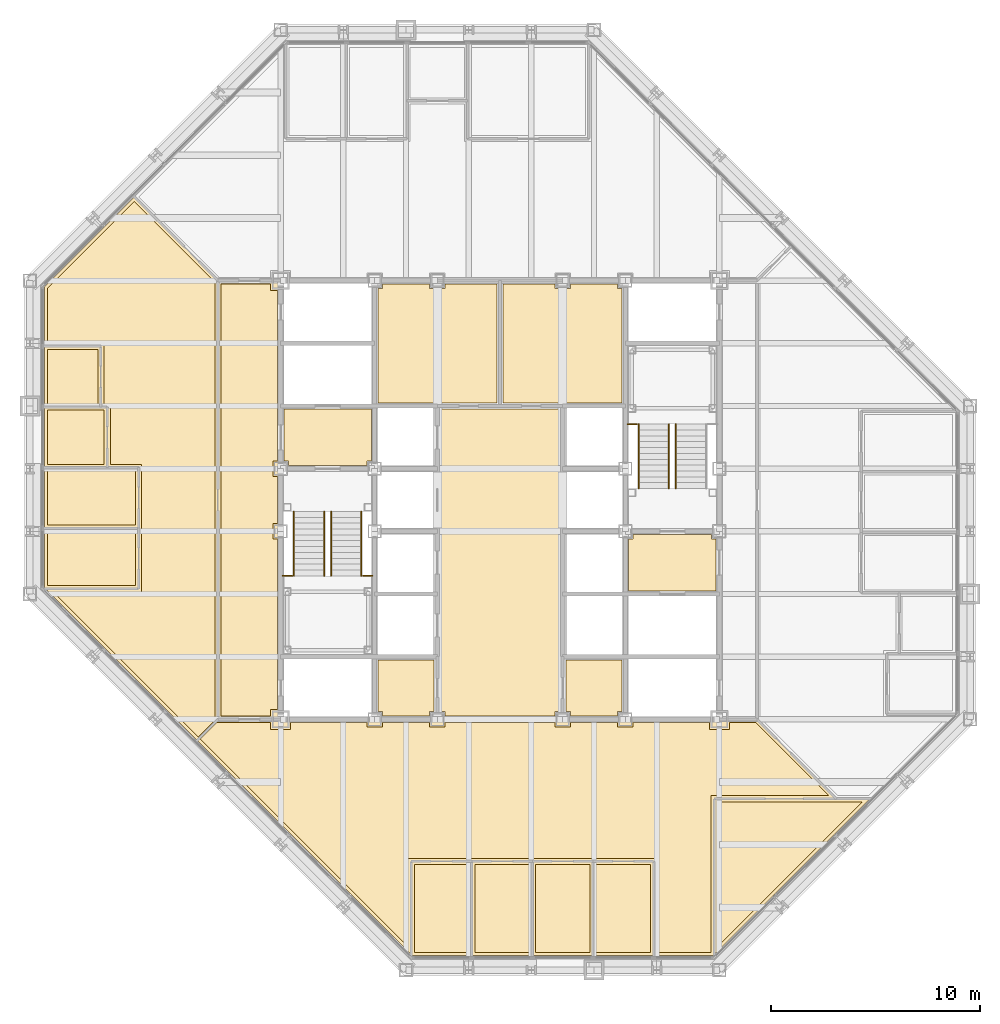
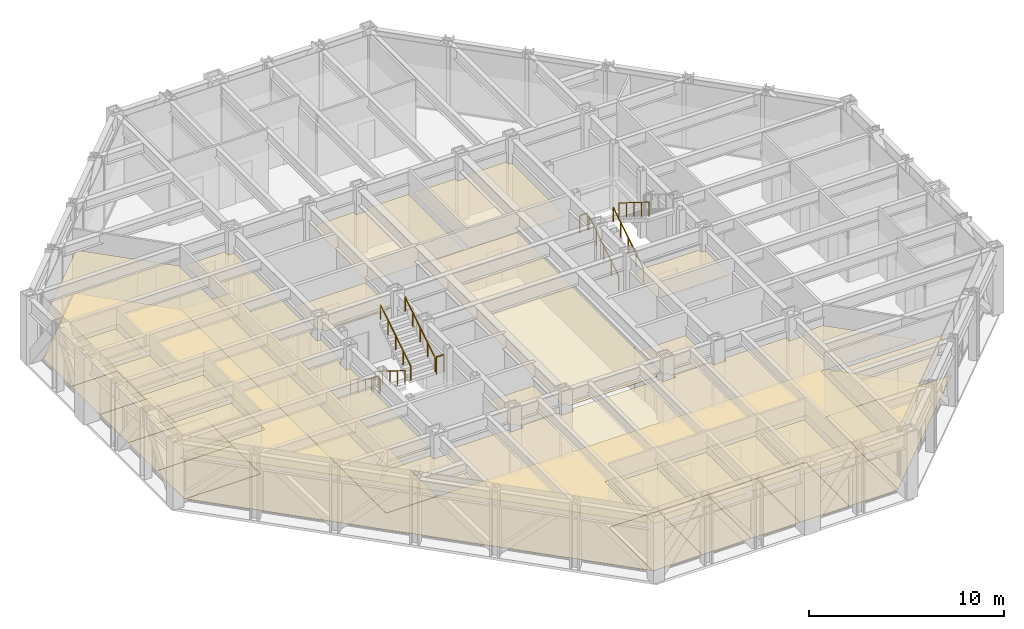
# One storey, part 14 of 15: 30 coverings, 10 railings.
"""IFC4 building model written with IfcOpenShell, lengths in metres."""

from ifc_helpers import new_model, si_unit, direction, frame, origin, origin_2d, place, context, subcontext, project, spatial, polyline, circle, outline, extrude, material, layer, layer_set, type_object, element, save


model = new_model("IFC4")

# Units and contexts
model_context = context("Model", 3, precision=1e-05, world=origin(), true_north=direction((0.0, 1.0)))
body_context = subcontext(model_context, "Body", "Model", "MODEL_VIEW")
ifc_project = project(units=[si_unit("LENGTHUNIT", "METRE"), si_unit("AREAUNIT", "SQUARE_METRE"), si_unit("VOLUMEUNIT", "CUBIC_METRE"), si_unit("PLANEANGLEUNIT", "RADIAN"), si_unit("MASSUNIT", "GRAM", prefix="KILO")], contexts=[model_context])

# Site, building, storey
site_placement = place(None, origin())
site = spatial("IfcSite", under=ifc_project, at=site_placement, CompositionType="ELEMENT")
building_placement = place(site_placement, origin())
building = spatial("IfcBuilding", under=site, at=building_placement, Name="Chuquiago Exchange Tower", CompositionType="ELEMENT")
storey_placement = place(building_placement, frame((0.0, 0.0, 188.699951171875)))
storey = spatial("IfcBuildingStorey", under=building, at=storey_placement, Name="L41", CompositionType="ELEMENT", Elevation=188.699951171875)

# Coverings
ifc_material_1 = material(Name="Mineral fibre tile, 600 x 600, on pale metal grid", Category="mineral fibre")
ifc_layer_1 = layer(ifc_material_1, 0.02001953125)
ifc_layer_set_1 = layer_set([ifc_layer_1], Name="CL1 suspended tile ceiling 20")
covering_type_1 = type_object("IfcCoveringType", Name="CL1 suspended tile ceiling 20", PredefinedType="CEILING", material=ifc_layer_set_1)
covering_1_placement = place(storey_placement, frame((0.0, 0.0, 2.800048828125)))
element("IfcCovering", 1, at=covering_1_placement, inside=storey, type_object=covering_type_1, Name="Ceiling Office", PredefinedType="CEILING", context=body_context, shape_type="SweptSolid", body=[
    extrude(outline(polyline([(18.3984375, 5.050048828125), (20.9990234375, 5.050048828125), (20.9990234375, 0.85009765625), (18.3984375, 0.85009765625), (18.3984375, 5.050048828125)])), origin(), (0.0, 0.0, 1.0), 0.02001953125),
])
covering_2_placement = place(storey_placement, frame((0.0, 0.0, 2.800048828125)))
element("IfcCovering", 2, at=covering_2_placement, inside=storey, type_object=covering_type_1, Name="Ceiling Office", PredefinedType="CEILING", context=body_context, shape_type="SweptSolid", body=[
    extrude(outline(polyline([(21.299072265625, 5.050048828125), (23.899658203125, 5.050048828125), (23.899658203125, 0.85009765625), (21.299072265625, 0.85009765625), (21.299072265625, 5.050048828125)])), origin(), (0.0, 0.0, 1.0), 0.02001953125),
])
covering_3_placement = place(storey_placement, frame((0.0, 0.0, 2.800048828125)))
element("IfcCovering", 3, at=covering_3_placement, inside=storey, type_object=covering_type_1, Name="Ceiling Office", PredefinedType="CEILING", context=body_context, shape_type="SweptSolid", body=[
    extrude(outline(polyline([(24.19970703125, 5.050048828125), (26.80029296875, 5.050048828125), (26.80029296875, 0.85009765625), (24.19970703125, 0.85009765625), (24.19970703125, 5.050048828125)])), origin(), (0.0, 0.0, 1.0), 0.02001953125),
])
covering_4_placement = place(storey_placement, frame((0.0, 0.0, 2.800048828125)))
element("IfcCovering", 4, at=covering_4_placement, inside=storey, type_object=covering_type_1, Name="Ceiling Office", PredefinedType="CEILING", context=body_context, shape_type="SweptSolid", body=[
    extrude(outline(polyline([(27.100341796875, 5.050048828125), (29.700927734375, 5.050048828125), (29.700927734375, 0.85009765625), (27.100341796875, 0.85009765625), (27.100341796875, 5.050048828125)])), origin(), (0.0, 0.0, 1.0), 0.02001953125),
])
covering_5_placement = place(storey_placement, frame((0.0, 0.0, 2.800048828125)))
element("IfcCovering", 5, at=covering_5_placement, inside=storey, type_object=covering_type_1, Name="Ceiling Boardroom", PredefinedType="CEILING", context=body_context, shape_type="SweptSolid", body=[
    extrude(outline(polyline([(32.901611328125, 8.050048828125), (39.847900390625, 8.050048828125), (32.901611328125, 1.103515625), (32.901611328125, 8.050048828125)])), origin(), (0.0, 0.0, 1.0), 0.02001953125),
])
covering_6_placement = place(storey_placement, frame((0.0, 0.0, 2.800048828125)))
element("IfcCovering", 6, at=covering_6_placement, inside=storey, type_object=covering_type_1, Name="Ceiling Office", PredefinedType="CEILING", context=body_context, shape_type="SweptSolid", body=[
    extrude(outline(polyline([(0.85009765625, 20.9990234375), (5.050048828125, 20.9990234375), (5.050048828125, 18.3984375), (0.85009765625, 18.3984375), (0.85009765625, 20.9990234375)])), origin(), (0.0, 0.0, 1.0), 0.02001953125),
])
covering_7_placement = place(storey_placement, frame((0.0, 0.0, 2.800048828125)))
element("IfcCovering", 7, at=covering_7_placement, inside=storey, type_object=covering_type_1, Name="Ceiling Office", PredefinedType="CEILING", context=body_context, shape_type="SweptSolid", body=[
    extrude(outline(polyline([(5.050048828125, 23.899658203125), (5.050048828125, 21.299072265625), (0.85009765625, 21.299072265625), (0.85009765625, 23.899658203125), (5.050048828125, 23.899658203125)])), origin(), (0.0, 0.0, 1.0), 0.02001953125),
])
covering_8_placement = place(storey_placement, frame((0.0, 0.0, 2.800048828125)))
element("IfcCovering", 8, at=covering_8_placement, inside=storey, type_object=covering_type_1, Name="Ceiling Store", PredefinedType="CEILING", context=body_context, shape_type="SweptSolid", body=[
    extrude(outline(polyline([(3.550048828125, 26.80029296875), (3.550048828125, 24.19970703125), (0.85009765625, 24.19970703125), (0.85009765625, 26.80029296875), (3.550048828125, 26.80029296875)])), origin(), (0.0, 0.0, 1.0), 0.02001953125),
])
covering_9_placement = place(storey_placement, frame((0.0, 0.0, 2.800048828125)))
element("IfcCovering", 9, at=covering_9_placement, inside=storey, type_object=covering_type_1, Name="Ceiling Focus room", PredefinedType="CEILING", context=body_context, shape_type="SweptSolid", body=[
    extrude(outline(polyline([(3.25, 29.700927734375), (3.25, 27.100341796875), (0.85009765625, 27.100341796875), (0.85009765625, 29.700927734375), (3.25, 29.700927734375)])), origin(), (0.0, 0.0, 1.0), 0.02001953125),
])
covering_10_placement = place(storey_placement, frame((0.0, 0.0, 2.800048828125)))
element("IfcCovering", 10, at=covering_10_placement, inside=storey, type_object=covering_type_1, Name="Ceiling Circulation corridor", PredefinedType="CEILING", context=body_context, shape_type="SweptSolid", body=[
    extrude(outline(polyline([(9.14990234375, 12.14990234375), (9.14990234375, 32.85009765625), (11.52490234375, 32.85009765625), (11.52490234375, 32.52490234375), (11.85009765625, 32.52490234375), (11.85009765625, 24.375), (11.625, 24.375), (11.625, 23.625), (11.85009765625, 23.625), (11.85009765625, 21.375), (11.625, 21.375), (11.625, 20.625), (11.85009765625, 20.625), (11.85009765625, 12.47509765625), (11.52490234375, 12.47509765625), (11.52490234375, 12.14990234375), (9.14990234375, 12.14990234375)])), origin(), (0.0, 0.0, 1.0), 0.02001953125),
])
covering_11_placement = place(storey_placement, frame((0.0, 0.0, 2.800048828125)))
element("IfcCovering", 11, at=covering_11_placement, inside=storey, type_object=covering_type_1, Name="Ceiling Open office south", PredefinedType="CEILING", context=body_context, shape_type="SweptSolid", body=[
    extrude(outline(polyline([(30.0009765625, 0.85009765625), (30.0009765625, 5.35009765625), (18.098388671875, 5.35009765625), (18.098388671875, 1.103515625), (8.150390625, 11.051513671875), (8.948974609375, 11.85009765625), (11.52490234375, 11.85009765625), (11.52490234375, 11.52490234375), (12.47509765625, 11.52490234375), (12.47509765625, 11.85009765625), (16.125, 11.85009765625), (16.125, 11.625), (16.875, 11.625), (16.875, 11.85009765625), (19.125, 11.85009765625), (19.125, 11.625), (19.875, 11.625), (19.875, 11.85009765625), (25.125, 11.85009765625), (25.125, 11.625), (25.875, 11.625), (25.875, 11.85009765625), (28.125, 11.85009765625), (28.125, 11.625), (28.875, 11.625), (28.875, 11.85009765625), (32.52490234375, 11.85009765625), (32.52490234375, 11.52490234375), (33.47509765625, 11.52490234375), (33.47509765625, 11.85009765625), (34.7373046875, 11.85009765625), (38.2373046875, 8.35009765625), (32.6015625, 8.35009765625), (32.6015625, 0.85009765625), (30.0009765625, 0.85009765625)])), origin(), (0.0, 0.0, 1.0), 0.02001953125),
])
covering_12_placement = place(storey_placement, frame((0.0, 0.0, 2.800048828125)))
element("IfcCovering", 12, at=covering_12_placement, inside=storey, type_object=covering_type_1, Name="Ceiling Open office south", PredefinedType="CEILING", context=body_context, shape_type="SweptSolid", body=[
    extrude(outline(polyline([(1.103515625, 18.098388671875), (5.35009765625, 18.098388671875), (5.35009765625, 24.19970703125), (3.85009765625, 24.19970703125), (3.85009765625, 27.100341796875), (3.550048828125, 27.100341796875), (3.550048828125, 30.0009765625), (0.85009765625, 30.0009765625), (0.85009765625, 32.64794921875), (4.99462890625, 36.79248046875), (8.85009765625, 32.9375), (8.85009765625, 11.948974609375), (8.051513671875, 11.150390625), (1.103515625, 18.098388671875)])), origin(), (0.0, 0.0, 1.0), 0.02001953125),
])
ifc_material_2 = material(Name="Moisture resistant plasterboard on metal frame", Category="gypsum")
ifc_layer_2 = layer(ifc_material_2, 0.014892578125)
ifc_layer_set_2 = layer_set([ifc_layer_2], Name="CL2 moisture resistant ceiling 15")
covering_type_2 = type_object("IfcCoveringType", Name="CL2 moisture resistant ceiling 15", PredefinedType="CEILING", material=ifc_layer_set_2)
covering_13_placement = place(storey_placement, frame((0.0, 0.0, 2.60009765625)))
element("IfcCovering", 13, at=covering_13_placement, inside=storey, type_object=covering_type_2, Name="Ceiling Male WC", PredefinedType="CEILING", context=body_context, shape_type="SweptSolid", body=[
    extrude(outline(polyline([(16.64990234375, 27.14990234375), (16.64990234375, 32.625), (16.875, 32.625), (16.875, 32.85009765625), (19.125, 32.85009765625), (19.125, 32.625), (19.875, 32.625), (19.875, 32.85009765625), (22.35009765625, 32.85009765625), (22.35009765625, 27.14990234375), (16.64990234375, 27.14990234375)])), origin(), (0.0, 0.0, 1.0), 0.014892578125),
])
covering_14_placement = place(storey_placement, frame((0.0, 0.0, 2.60009765625)))
element("IfcCovering", 14, at=covering_14_placement, inside=storey, type_object=covering_type_2, Name="Ceiling Female WC", PredefinedType="CEILING", context=body_context, shape_type="SweptSolid", body=[
    extrude(outline(polyline([(22.64990234375, 27.14990234375), (22.64990234375, 32.85009765625), (25.125, 32.85009765625), (25.125, 32.625), (25.875, 32.625), (25.875, 32.85009765625), (28.125, 32.85009765625), (28.125, 32.625), (28.35009765625, 32.625), (28.35009765625, 27.14990234375), (22.64990234375, 27.14990234375)])), origin(), (0.0, 0.0, 1.0), 0.014892578125),
])
covering_15_placement = place(storey_placement, frame((0.0, 0.0, 2.60009765625)))
element("IfcCovering", 15, at=covering_15_placement, inside=storey, type_object=covering_type_2, Name="Ceiling Accessible WC", PredefinedType="CEILING", context=body_context, shape_type="SweptSolid", body=[
    extrude(outline(polyline([(25.875, 12.14990234375), (25.875, 12.375), (25.64990234375, 12.375), (25.64990234375, 14.85009765625), (28.35009765625, 14.85009765625), (28.35009765625, 12.375), (28.125, 12.375), (28.125, 12.14990234375), (25.875, 12.14990234375)])), origin(), (0.0, 0.0, 1.0), 0.014892578125),
])
covering_16_placement = place(storey_placement, frame((0.0, 0.0, 2.60009765625)))
element("IfcCovering", 16, at=covering_16_placement, inside=storey, type_object=covering_type_2, Name="Ceiling Cleaner", PredefinedType="CEILING", context=body_context, shape_type="SweptSolid", body=[
    extrude(outline(polyline([(16.875, 12.14990234375), (16.875, 12.375), (16.64990234375, 12.375), (16.64990234375, 14.85009765625), (19.35009765625, 14.85009765625), (19.35009765625, 12.375), (19.125, 12.375), (19.125, 12.14990234375), (16.875, 12.14990234375)])), origin(), (0.0, 0.0, 1.0), 0.014892578125),
])
ifc_material_3 = material(Name="Pale metal plank ceiling, perforated", Category="aluminium")
ifc_layer_3 = layer(ifc_material_3, 0.030029296875)
ifc_layer_set_3 = layer_set([ifc_layer_3], Name="CL3 metal plank ceiling 30")
covering_type_3 = type_object("IfcCoveringType", Name="CL3 metal plank ceiling 30", PredefinedType="CEILING", material=ifc_layer_set_3)
covering_17_placement = place(storey_placement, frame((0.0, 0.0, 2.800048828125)))
element("IfcCovering", 17, at=covering_17_placement, inside=storey, type_object=covering_type_3, Name="Ceiling Lift lobby", PredefinedType="CEILING", context=body_context, shape_type="SweptSolid", body=[
    extrude(outline(polyline([(19.875, 12.14990234375), (19.875, 12.375), (19.64990234375, 12.375), (19.64990234375, 26.85009765625), (25.35009765625, 26.85009765625), (25.35009765625, 12.375), (25.125, 12.375), (25.125, 12.14990234375), (19.875, 12.14990234375)])), origin(), (0.0, 0.0, 1.0), 0.030029296875),
])
covering_18_placement = place(storey_placement, frame((0.0, 0.0, 2.800048828125)))
element("IfcCovering", 18, at=covering_18_placement, inside=storey, type_object=covering_type_3, Name="Ceiling Firefighting lobby", PredefinedType="CEILING", context=body_context, shape_type="SweptSolid", body=[
    extrude(outline(polyline([(12.375, 24.14990234375), (12.375, 24.375), (12.14990234375, 24.375), (12.14990234375, 26.85009765625), (16.35009765625, 26.85009765625), (16.35009765625, 24.375), (16.125, 24.375), (16.125, 24.14990234375), (12.375, 24.14990234375)])), origin(), (0.0, 0.0, 1.0), 0.030029296875),
])
covering_19_placement = place(storey_placement, frame((0.0, 0.0, 2.800048828125)))
element("IfcCovering", 19, at=covering_19_placement, inside=storey, type_object=covering_type_3, Name="Ceiling Firefighting lobby", PredefinedType="CEILING", context=body_context, shape_type="SweptSolid", body=[
    extrude(outline(polyline([(28.64990234375, 18.14990234375), (28.64990234375, 20.625), (28.875, 20.625), (28.875, 20.85009765625), (32.625, 20.85009765625), (32.625, 20.625), (32.85009765625, 20.625), (32.85009765625, 18.14990234375), (28.64990234375, 18.14990234375)])), origin(), (0.0, 0.0, 1.0), 0.030029296875),
])
ifc_material_4 = material(Name="Carpet tile, 500 x 500, on the floor slab", Category="textile")
ifc_layer_4 = layer(ifc_material_4, 0.010009765625)
ifc_layer_set_4 = layer_set([ifc_layer_4], Name="FL1 carpet tile 10")
covering_type_4 = type_object("IfcCoveringType", Name="FL1 carpet tile 10", PredefinedType="FLOORING", material=ifc_layer_set_4)
covering_20_placement = place(storey_placement, origin())
element("IfcCovering", 20, at=covering_20_placement, inside=storey, type_object=covering_type_4, Name="Floor finish Office", PredefinedType="FLOORING", context=body_context, shape_type="SweptSolid", body=[
    extrude(outline(polyline([(18.289794921875, 0.699951171875), (18.24853515625, 0.741455078125), (18.24853515625, 5.199951171875), (21.149169921875, 5.199951171875), (21.149169921875, 0.699951171875), (18.289794921875, 0.699951171875)])), origin(), (0.0, 0.0, 1.0), 0.010009765625),
])
covering_21_placement = place(storey_placement, origin())
element("IfcCovering", 21, at=covering_21_placement, inside=storey, type_object=covering_type_4, Name="Floor finish Office", PredefinedType="FLOORING", context=body_context, shape_type="SweptSolid", body=[
    extrude(outline(polyline([(21.149169921875, 0.699951171875), (21.149169921875, 5.199951171875), (24.0498046875, 5.199951171875), (24.0498046875, 0.699951171875), (21.149169921875, 0.699951171875)])), origin(), (0.0, 0.0, 1.0), 0.010009765625),
])
covering_22_placement = place(storey_placement, origin())
element("IfcCovering", 22, at=covering_22_placement, inside=storey, type_object=covering_type_4, Name="Floor finish Office", PredefinedType="FLOORING", context=body_context, shape_type="SweptSolid", body=[
    extrude(outline(polyline([(24.0498046875, 0.699951171875), (24.0498046875, 5.199951171875), (26.9501953125, 5.199951171875), (26.9501953125, 0.699951171875), (24.0498046875, 0.699951171875)])), origin(), (0.0, 0.0, 1.0), 0.010009765625),
])
covering_23_placement = place(storey_placement, origin())
element("IfcCovering", 23, at=covering_23_placement, inside=storey, type_object=covering_type_4, Name="Floor finish Office", PredefinedType="FLOORING", context=body_context, shape_type="SweptSolid", body=[
    extrude(outline(polyline([(26.9501953125, 0.699951171875), (26.9501953125, 5.199951171875), (29.850830078125, 5.199951171875), (29.850830078125, 0.699951171875), (26.9501953125, 0.699951171875)])), origin(), (0.0, 0.0, 1.0), 0.010009765625),
])
covering_24_placement = place(storey_placement, origin())
element("IfcCovering", 24, at=covering_24_placement, inside=storey, type_object=covering_type_4, Name="Floor finish Boardroom", PredefinedType="FLOORING", context=body_context, shape_type="SweptSolid", body=[
    extrude(outline(polyline([(32.75146484375, 0.741455078125), (32.75146484375, 8.199951171875), (40.210205078125, 8.199951171875), (32.75146484375, 0.741455078125)])), origin(), (0.0, 0.0, 1.0), 0.010009765625),
])
covering_25_placement = place(storey_placement, origin())
element("IfcCovering", 25, at=covering_25_placement, inside=storey, type_object=covering_type_4, Name="Floor finish Office", PredefinedType="FLOORING", context=body_context, shape_type="SweptSolid", body=[
    extrude(outline(polyline([(0.699951171875, 21.149169921875), (5.199951171875, 21.149169921875), (5.199951171875, 18.24853515625), (0.741455078125, 18.24853515625), (0.699951171875, 18.289794921875), (0.699951171875, 21.149169921875)])), origin(), (0.0, 0.0, 1.0), 0.010009765625),
])
covering_26_placement = place(storey_placement, origin())
element("IfcCovering", 26, at=covering_26_placement, inside=storey, type_object=covering_type_4, Name="Floor finish Office", PredefinedType="FLOORING", context=body_context, shape_type="SweptSolid", body=[
    extrude(outline(polyline([(0.699951171875, 24.0498046875), (5.199951171875, 24.0498046875), (5.199951171875, 21.149169921875), (0.699951171875, 21.149169921875), (0.699951171875, 24.0498046875)])), origin(), (0.0, 0.0, 1.0), 0.010009765625),
])
covering_27_placement = place(storey_placement, origin())
element("IfcCovering", 27, at=covering_27_placement, inside=storey, type_object=covering_type_4, Name="Floor finish Focus room", PredefinedType="FLOORING", context=body_context, shape_type="SweptSolid", body=[
    extrude(outline(polyline([(0.699951171875, 29.850830078125), (3.39990234375, 29.850830078125), (3.39990234375, 26.9501953125), (0.699951171875, 26.9501953125), (0.699951171875, 29.850830078125)])), origin(), (0.0, 0.0, 1.0), 0.010009765625),
])
covering_28_placement = place(storey_placement, origin())
element("IfcCovering", 28, at=covering_28_placement, inside=storey, type_object=covering_type_4, Name="Floor finish Open office south", PredefinedType="FLOORING", context=body_context, shape_type="SweptSolid", body=[
    extrude(outline(polyline([(32.75146484375, 8.199951171875), (32.75146484375, 0.741455078125), (32.710205078125, 0.699951171875), (29.850830078125, 0.699951171875), (29.850830078125, 5.199951171875), (18.24853515625, 5.199951171875), (18.24853515625, 0.741455078125), (0.741455078125, 18.24853515625), (5.199951171875, 18.24853515625), (5.199951171875, 24.0498046875), (3.699951171875, 24.0498046875), (3.699951171875, 26.9501953125), (3.39990234375, 26.9501953125), (3.39990234375, 29.850830078125), (0.699951171875, 29.850830078125), (0.699951171875, 32.710205078125), (4.99462890625, 37.004638671875), (9.0, 32.99951171875), (9.0, 12.0), (34.799560546875, 12.0), (38.599365234375, 8.199951171875), (32.75146484375, 8.199951171875)])), origin(), (0.0, 0.0, 1.0), 0.010009765625),
])
ifc_material_5 = material(Name="Porcelain floor tile, 600 x 600, on adhesive bed", Category="ceramic")
ifc_layer_5 = layer(ifc_material_5, 0.014892578125)
ifc_layer_set_5 = layer_set([ifc_layer_5], Name="FL2 porcelain tile 15")
covering_type_5 = type_object("IfcCoveringType", Name="FL2 porcelain tile 15", PredefinedType="FLOORING", material=ifc_layer_set_5)
covering_29_placement = place(storey_placement, origin())
element("IfcCovering", 29, at=covering_29_placement, inside=storey, type_object=covering_type_5, Name="Floor finish Store", PredefinedType="FLOORING", context=body_context, shape_type="SweptSolid", body=[
    extrude(outline(polyline([(0.699951171875, 26.9501953125), (3.699951171875, 26.9501953125), (3.699951171875, 24.0498046875), (0.699951171875, 24.0498046875), (0.699951171875, 26.9501953125)])), origin(), (0.0, 0.0, 1.0), 0.01513671875),
])
covering_30_placement = place(storey_placement, origin())
element("IfcCovering", 30, at=covering_30_placement, inside=storey, type_object=covering_type_5, Name="Floor finish Circulation corridor", PredefinedType="FLOORING", context=body_context, shape_type="SweptSolid", body=[
    extrude(outline(polyline([(12.0, 12.0), (9.0, 12.0), (9.0, 33.0), (12.0, 33.0), (12.0, 12.0)])), origin(), (0.0, 0.0, 1.0), 0.01513671875),
])

# Railings
ifc_material_6 = material(Name="Pale metal guard with safety glass infill", Category="glass")
railing_type_1 = type_object("IfcRailingType", Name="GR1 guard 1100", PredefinedType="GUARDRAIL", material=ifc_material_6)
for number, where, name in (
    (31, (12.10009765625, 18.8701171875, 2.10009765625), "Guard ST1 L41 landing 2"),
    (32, (15.945068359375, 18.8701171875, 2.10009765625), "Guard ST1 L41 landing 2"),
    (33, (28.60009765625, 26.1298828125, 2.10009765625), "Guard ST2 L41 landing 2"),
):
    element("IfcRailing", number, at=place(storey_placement, frame(where)), inside=storey, type_object=railing_type_1, Name=name, PredefinedType="GUARDRAIL", context=body_context, shape_type="SweptSolid", body=[
        extrude(circle(Radius=0.02392578125, at=origin_2d()), frame((0.0, 0.0, 1.076171875), z_axis=(1.0, 0.0, 0.0), x_axis=(0.0, 1.0, 0.0)), (0.0, 0.0, 1.0), 0.454833984375),
        extrude(circle(Radius=0.02099609375, at=origin_2d()), origin(), (0.0, 0.0, 1.0), 1.052001953125),
        extrude(circle(Radius=0.02099609375, at=origin_2d()), frame((0.454833984375, 0.0, 0.0)), (0.0, 0.0, 1.0), 1.052001953125),
    ])
ifc_material_7 = material(Name="Pale metal handrail", Category="steel")
railing_type_2 = type_object("IfcRailingType", Name="HR1 handrail 900", PredefinedType="HANDRAIL", material=ifc_material_7)
for number, where, name in (
    (34, (12.635009765625, 21.949951171875, 0.175048828125), "Handrail ST1 L41 flight 1"),
    (35, (14.0849609375, 21.949951171875, 0.175048828125), "Handrail ST1 L41 flight 1"),
):
    element("IfcRailing", number, at=place(storey_placement, frame(where)), inside=storey, type_object=railing_type_2, Name=name, PredefinedType="HANDRAIL", context=body_context, shape_type="SweptSolid", body=[
        extrude(circle(Radius=0.02392578125, at=origin_2d()), frame((0.0, 0.0, 0.8759765625), z_axis=(0.0, -0.847979421464, 0.530029150871), x_axis=(1.0, 0.0, 0.0)), (0.0, 0.0, 1.0), 3.632080078125),
        extrude(circle(Radius=0.02099609375, at=origin_2d()), origin(), (0.0, 0.0, 1.0), 0.851806640625),
        extrude(circle(Radius=0.02099609375, at=origin_2d()), frame((0.0, -0.77001953125, 0.481201171875)), (0.0, 0.0, 1.0), 0.851806640625),
        extrude(circle(Radius=0.02099609375, at=origin_2d()), frame((0.0, -1.5400390625, 0.96240234375)), (0.0, 0.0, 1.0), 0.851806640625),
        extrude(circle(Radius=0.02099609375, at=origin_2d()), frame((0.0, -2.309814453125, 1.44384765625)), (0.0, 0.0, 1.0), 0.851806640625),
        extrude(circle(Radius=0.02099609375, at=origin_2d()), frame((0.0, -3.079833984375, 1.925048828125)), (0.0, 0.0, 1.0), 0.851806640625),
    ])
for number, where, name in (
    (36, (15.864990234375, 18.8701171875, 2.275146484375), "Handrail ST1 L41 flight 2"),
    (37, (14.4150390625, 18.8701171875, 2.275146484375), "Handrail ST1 L41 flight 2"),
):
    element("IfcRailing", number, at=place(storey_placement, frame(where)), inside=storey, type_object=railing_type_2, Name=name, PredefinedType="HANDRAIL", context=body_context, shape_type="SweptSolid", body=[
        extrude(circle(Radius=0.02392578125, at=origin_2d()), frame((0.0, 0.0, 0.8759765625), z_axis=(0.0, 0.848009633417, 0.529980812513), x_axis=(-1.0, 0.0, 0.0)), (0.0, 0.0, 1.0), 3.6318359375),
        extrude(circle(Radius=0.02099609375, at=origin_2d()), origin(), (0.0, 0.0, 1.0), 0.851806640625),
        extrude(circle(Radius=0.02099609375, at=origin_2d()), frame((0.0, 0.77001953125, 0.481201171875)), (0.0, 0.0, 1.0), 0.851806640625),
        extrude(circle(Radius=0.02099609375, at=origin_2d()), frame((0.0, 1.5400390625, 0.96240234375)), (0.0, 0.0, 1.0), 0.851806640625),
        extrude(circle(Radius=0.02099609375, at=origin_2d()), frame((0.0, 2.309814453125, 1.443603515625)), (0.0, 0.0, 1.0), 0.851806640625),
        extrude(circle(Radius=0.02099609375, at=origin_2d()), frame((0.0, 3.079833984375, 1.9248046875)), (0.0, 0.0, 1.0), 0.851806640625),
    ])
for number, where, name in (
    (38, (30.5849609375, 23.050048828125, 0.175048828125), "Handrail ST2 L41 flight 1"),
    (39, (29.135009765625, 23.050048828125, 0.175048828125), "Handrail ST2 L41 flight 1"),
):
    element("IfcRailing", number, at=place(storey_placement, frame(where)), inside=storey, type_object=railing_type_2, Name=name, PredefinedType="HANDRAIL", context=body_context, shape_type="SweptSolid", body=[
        extrude(circle(Radius=0.02392578125, at=origin_2d()), frame((0.0, 0.0, 0.8759765625), z_axis=(0.0, 0.847979421464, 0.530029150871), x_axis=(-1.0, 0.0, 0.0)), (0.0, 0.0, 1.0), 3.632080078125),
        extrude(circle(Radius=0.02099609375, at=origin_2d()), origin(), (0.0, 0.0, 1.0), 0.851806640625),
        extrude(circle(Radius=0.02099609375, at=origin_2d()), frame((0.0, 0.77001953125, 0.481201171875)), (0.0, 0.0, 1.0), 0.851806640625),
        extrude(circle(Radius=0.02099609375, at=origin_2d()), frame((0.0, 1.5400390625, 0.96240234375)), (0.0, 0.0, 1.0), 0.851806640625),
        extrude(circle(Radius=0.02099609375, at=origin_2d()), frame((0.0, 2.309814453125, 1.44384765625)), (0.0, 0.0, 1.0), 0.851806640625),
        extrude(circle(Radius=0.02099609375, at=origin_2d()), frame((0.0, 3.079833984375, 1.925048828125)), (0.0, 0.0, 1.0), 0.851806640625),
    ])
railing_placement = place(storey_placement, frame((30.9150390625, 26.1298828125, 2.275146484375)))
element("IfcRailing", 40, at=railing_placement, inside=storey, type_object=railing_type_2, Name="Handrail ST2 L41 flight 2", PredefinedType="HANDRAIL", context=body_context, shape_type="SweptSolid", body=[
    extrude(circle(Radius=0.02392578125, at=origin_2d()), frame((0.0, 0.0, 0.8759765625), z_axis=(0.0, -0.848009633417, 0.529980812513), x_axis=(1.0, 0.0, 0.0)), (0.0, 0.0, 1.0), 3.6318359375),
    extrude(circle(Radius=0.02099609375, at=origin_2d()), origin(), (0.0, 0.0, 1.0), 0.851806640625),
    extrude(circle(Radius=0.02099609375, at=origin_2d()), frame((0.0, -0.77001953125, 0.481201171875)), (0.0, 0.0, 1.0), 0.851806640625),
    extrude(circle(Radius=0.02099609375, at=origin_2d()), frame((0.0, -1.5400390625, 0.96240234375)), (0.0, 0.0, 1.0), 0.851806640625),
    extrude(circle(Radius=0.02099609375, at=origin_2d()), frame((0.0, -2.309814453125, 1.443603515625)), (0.0, 0.0, 1.0), 0.851806640625),
    extrude(circle(Radius=0.02099609375, at=origin_2d()), frame((0.0, -3.079833984375, 1.9248046875)), (0.0, 0.0, 1.0), 0.851806640625),
])

save(model, "model.ifc")
